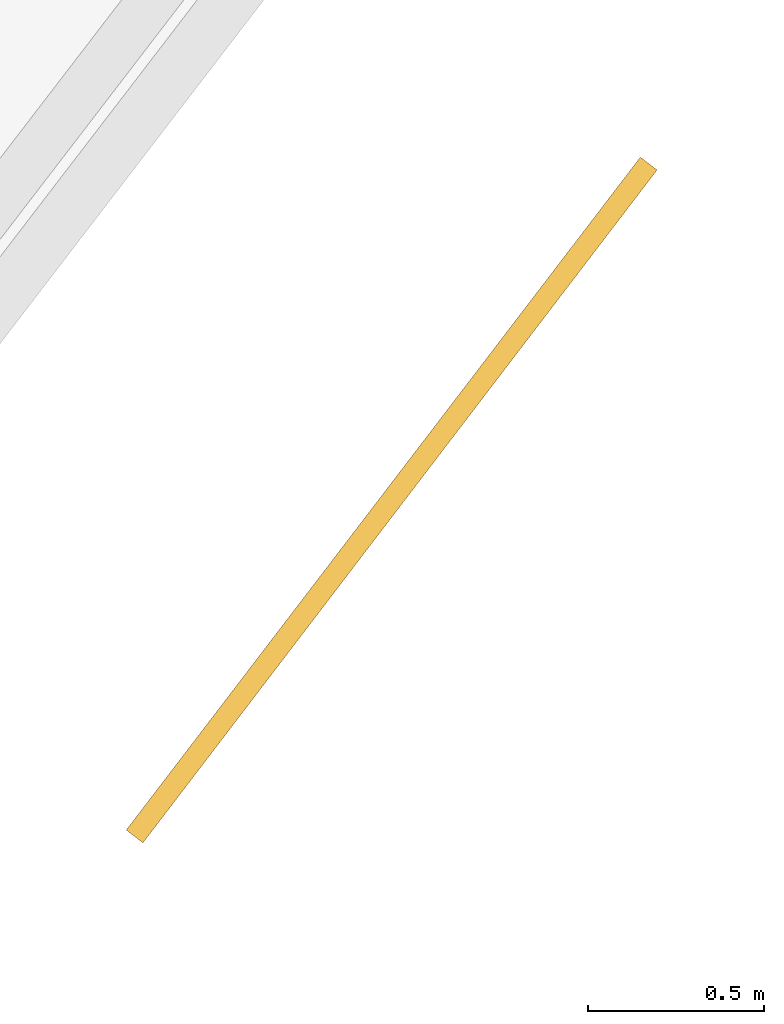
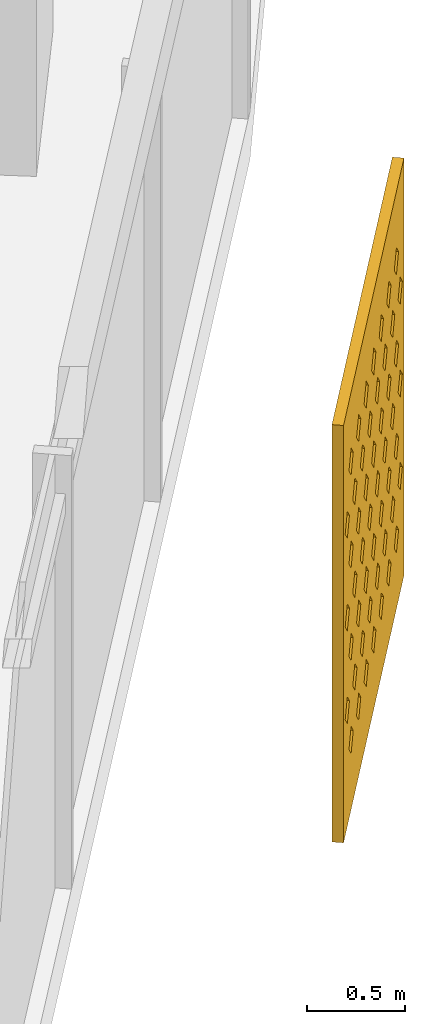
# One storey, part 29 of 29: 1 shading device.
"""IFC4 building model written with IfcOpenShell, lengths in metres."""

from ifc_helpers import new_model, si_unit, direction, frame, origin, place, context, subcontext, project, spatial, polyline, outline, extrude, material, material_profile, profile_set, type_object, element, save


model = new_model("IFC4")

# Units and contexts
model_context = context("Model", 3, precision=1e-05, world=origin(), true_north=direction((0.0, 1.0)))
body_context = subcontext(model_context, "Body", "Model", "MODEL_VIEW")
ifc_project = project(units=[si_unit("LENGTHUNIT", "METRE"), si_unit("AREAUNIT", "SQUARE_METRE"), si_unit("VOLUMEUNIT", "CUBIC_METRE"), si_unit("PLANEANGLEUNIT", "RADIAN"), si_unit("MASSUNIT", "GRAM", prefix="KILO")], contexts=[model_context])

# Site, building, storey
site_placement = place(None, origin())
site = spatial("IfcSite", under=ifc_project, at=site_placement, CompositionType="ELEMENT")
building_placement = place(site_placement, origin())
building = spatial("IfcBuilding", under=site, at=building_placement, Name="Qamariyya Broadcast Tower", CompositionType="ELEMENT")
storey_placement = place(building_placement, frame((0.0, 0.0, 44.300048828125)))
storey = spatial("IfcBuildingStorey", under=building, at=storey_placement, Name="L07", CompositionType="ELEMENT", Elevation=44.300048828125)

# Shading device
ifc_material = material(Name="Perforated glazed terracotta", Category="masonry")
ifc_material_profile = material_profile(ifc_material, outline(polyline([(-1.199951171875, -1.300048828125), (1.199951171875, -1.300048828125), (1.199951171875, 1.300048828125), (-1.199951171875, 1.300048828125), (-1.199951171875, -1.300048828125)]), holes=[polyline([(-0.81494140625, -0.86669921875), (-0.89990234375, -0.78173828125), (-0.985107421875, -0.86669921875), (-0.89990234375, -0.95166015625), (-0.81494140625, -0.86669921875)]), polyline([(-0.514892578125, -0.86669921875), (-0.60009765625, -0.78173828125), (-0.68505859375, -0.86669921875), (-0.60009765625, -0.95166015625), (-0.514892578125, -0.86669921875)]), polyline([(-0.215087890625, -0.86669921875), (-0.300048828125, -0.78173828125), (-0.385009765625, -0.86669921875), (-0.300048828125, -0.95166015625), (-0.215087890625, -0.86669921875)]), polyline([(0.0849609375, -0.86669921875), (0.0, -0.78173828125), (-0.0849609375, -0.86669921875), (0.0, -0.95166015625), (0.0849609375, -0.86669921875)]), polyline([(0.385009765625, -0.86669921875), (0.300048828125, -0.78173828125), (0.215087890625, -0.86669921875), (0.300048828125, -0.95166015625), (0.385009765625, -0.86669921875)]), polyline([(0.68505859375, -0.86669921875), (0.60009765625, -0.78173828125), (0.514892578125, -0.86669921875), (0.60009765625, -0.95166015625), (0.68505859375, -0.86669921875)]), polyline([(0.985107421875, -0.86669921875), (0.89990234375, -0.78173828125), (0.81494140625, -0.86669921875), (0.89990234375, -0.95166015625), (0.985107421875, -0.86669921875)]), polyline([(-0.965087890625, -0.577880859375), (-1.050048828125, -0.49267578125), (-1.135009765625, -0.577880859375), (-1.050048828125, -0.662841796875), (-0.965087890625, -0.577880859375)]), polyline([(-0.6650390625, -0.577880859375), (-0.75, -0.49267578125), (-0.8349609375, -0.577880859375), (-0.75, -0.662841796875), (-0.6650390625, -0.577880859375)]), polyline([(-0.364990234375, -0.577880859375), (-0.449951171875, -0.49267578125), (-0.534912109375, -0.577880859375), (-0.449951171875, -0.662841796875), (-0.364990234375, -0.577880859375)]), polyline([(-0.06494140625, -0.577880859375), (-0.14990234375, -0.49267578125), (-0.235107421875, -0.577880859375), (-0.14990234375, -0.662841796875), (-0.06494140625, -0.577880859375)]), polyline([(0.235107421875, -0.577880859375), (0.14990234375, -0.49267578125), (0.06494140625, -0.577880859375), (0.14990234375, -0.662841796875), (0.235107421875, -0.577880859375)]), polyline([(0.534912109375, -0.577880859375), (0.449951171875, -0.49267578125), (0.364990234375, -0.577880859375), (0.449951171875, -0.662841796875), (0.534912109375, -0.577880859375)]), polyline([(0.8349609375, -0.577880859375), (0.75, -0.49267578125), (0.6650390625, -0.577880859375), (0.75, -0.662841796875), (0.8349609375, -0.577880859375)]), polyline([(1.135009765625, -0.577880859375), (1.050048828125, -0.49267578125), (0.965087890625, -0.577880859375), (1.050048828125, -0.662841796875), (1.135009765625, -0.577880859375)]), polyline([(-0.81494140625, -0.288818359375), (-0.89990234375, -0.203857421875), (-0.985107421875, -0.288818359375), (-0.89990234375, -0.373779296875), (-0.81494140625, -0.288818359375)]), polyline([(-0.514892578125, -0.288818359375), (-0.60009765625, -0.203857421875), (-0.68505859375, -0.288818359375), (-0.60009765625, -0.373779296875), (-0.514892578125, -0.288818359375)]), polyline([(-0.215087890625, -0.288818359375), (-0.300048828125, -0.203857421875), (-0.385009765625, -0.288818359375), (-0.300048828125, -0.373779296875), (-0.215087890625, -0.288818359375)]), polyline([(0.0849609375, -0.288818359375), (0.0, -0.203857421875), (-0.0849609375, -0.288818359375), (0.0, -0.373779296875), (0.0849609375, -0.288818359375)]), polyline([(0.385009765625, -0.288818359375), (0.300048828125, -0.203857421875), (0.215087890625, -0.288818359375), (0.300048828125, -0.373779296875), (0.385009765625, -0.288818359375)]), polyline([(0.68505859375, -0.288818359375), (0.60009765625, -0.203857421875), (0.514892578125, -0.288818359375), (0.60009765625, -0.373779296875), (0.68505859375, -0.288818359375)]), polyline([(0.985107421875, -0.288818359375), (0.89990234375, -0.203857421875), (0.81494140625, -0.288818359375), (0.89990234375, -0.373779296875), (0.985107421875, -0.288818359375)]), polyline([(-0.965087890625, 0.0), (-1.050048828125, 0.0849609375), (-1.135009765625, 0.0), (-1.050048828125, -0.0849609375), (-0.965087890625, 0.0)]), polyline([(-0.6650390625, 0.0), (-0.75, 0.0849609375), (-0.8349609375, 0.0), (-0.75, -0.0849609375), (-0.6650390625, 0.0)]), polyline([(-0.364990234375, 0.0), (-0.449951171875, 0.0849609375), (-0.534912109375, 0.0), (-0.449951171875, -0.0849609375), (-0.364990234375, 0.0)]), polyline([(-0.06494140625, 0.0), (-0.14990234375, 0.0849609375), (-0.235107421875, 0.0), (-0.14990234375, -0.0849609375), (-0.06494140625, 0.0)]), polyline([(0.235107421875, 0.0), (0.14990234375, 0.0849609375), (0.06494140625, 0.0), (0.14990234375, -0.0849609375), (0.235107421875, 0.0)]), polyline([(0.534912109375, 0.0), (0.449951171875, 0.0849609375), (0.364990234375, 0.0), (0.449951171875, -0.0849609375), (0.534912109375, 0.0)]), polyline([(0.8349609375, 0.0), (0.75, 0.0849609375), (0.6650390625, 0.0), (0.75, -0.0849609375), (0.8349609375, 0.0)]), polyline([(1.135009765625, 0.0), (1.050048828125, 0.0849609375), (0.965087890625, 0.0), (1.050048828125, -0.0849609375), (1.135009765625, 0.0)]), polyline([(-0.81494140625, 0.288818359375), (-0.89990234375, 0.373779296875), (-0.985107421875, 0.288818359375), (-0.89990234375, 0.203857421875), (-0.81494140625, 0.288818359375)]), polyline([(-0.514892578125, 0.288818359375), (-0.60009765625, 0.373779296875), (-0.68505859375, 0.288818359375), (-0.60009765625, 0.203857421875), (-0.514892578125, 0.288818359375)]), polyline([(-0.215087890625, 0.288818359375), (-0.300048828125, 0.373779296875), (-0.385009765625, 0.288818359375), (-0.300048828125, 0.203857421875), (-0.215087890625, 0.288818359375)]), polyline([(0.0849609375, 0.288818359375), (0.0, 0.373779296875), (-0.0849609375, 0.288818359375), (0.0, 0.203857421875), (0.0849609375, 0.288818359375)]), polyline([(0.385009765625, 0.288818359375), (0.300048828125, 0.373779296875), (0.215087890625, 0.288818359375), (0.300048828125, 0.203857421875), (0.385009765625, 0.288818359375)]), polyline([(0.68505859375, 0.288818359375), (0.60009765625, 0.373779296875), (0.514892578125, 0.288818359375), (0.60009765625, 0.203857421875), (0.68505859375, 0.288818359375)]), polyline([(0.985107421875, 0.288818359375), (0.89990234375, 0.373779296875), (0.81494140625, 0.288818359375), (0.89990234375, 0.203857421875), (0.985107421875, 0.288818359375)]), polyline([(-0.965087890625, 0.577880859375), (-1.050048828125, 0.662841796875), (-1.135009765625, 0.577880859375), (-1.050048828125, 0.49267578125), (-0.965087890625, 0.577880859375)]), polyline([(-0.6650390625, 0.577880859375), (-0.75, 0.662841796875), (-0.8349609375, 0.577880859375), (-0.75, 0.49267578125), (-0.6650390625, 0.577880859375)]), polyline([(-0.364990234375, 0.577880859375), (-0.449951171875, 0.662841796875), (-0.534912109375, 0.577880859375), (-0.449951171875, 0.49267578125), (-0.364990234375, 0.577880859375)]), polyline([(-0.06494140625, 0.577880859375), (-0.14990234375, 0.662841796875), (-0.235107421875, 0.577880859375), (-0.14990234375, 0.49267578125), (-0.06494140625, 0.577880859375)]), polyline([(0.235107421875, 0.577880859375), (0.14990234375, 0.662841796875), (0.06494140625, 0.577880859375), (0.14990234375, 0.49267578125), (0.235107421875, 0.577880859375)]), polyline([(0.534912109375, 0.577880859375), (0.449951171875, 0.662841796875), (0.364990234375, 0.577880859375), (0.449951171875, 0.49267578125), (0.534912109375, 0.577880859375)]), polyline([(0.8349609375, 0.577880859375), (0.75, 0.662841796875), (0.6650390625, 0.577880859375), (0.75, 0.49267578125), (0.8349609375, 0.577880859375)]), polyline([(1.135009765625, 0.577880859375), (1.050048828125, 0.662841796875), (0.965087890625, 0.577880859375), (1.050048828125, 0.49267578125), (1.135009765625, 0.577880859375)]), polyline([(-0.81494140625, 0.86669921875), (-0.89990234375, 0.95166015625), (-0.985107421875, 0.86669921875), (-0.89990234375, 0.78173828125), (-0.81494140625, 0.86669921875)]), polyline([(-0.514892578125, 0.86669921875), (-0.60009765625, 0.95166015625), (-0.68505859375, 0.86669921875), (-0.60009765625, 0.78173828125), (-0.514892578125, 0.86669921875)]), polyline([(-0.215087890625, 0.86669921875), (-0.300048828125, 0.95166015625), (-0.385009765625, 0.86669921875), (-0.300048828125, 0.78173828125), (-0.215087890625, 0.86669921875)]), polyline([(0.0849609375, 0.86669921875), (0.0, 0.95166015625), (-0.0849609375, 0.86669921875), (0.0, 0.78173828125), (0.0849609375, 0.86669921875)]), polyline([(0.385009765625, 0.86669921875), (0.300048828125, 0.95166015625), (0.215087890625, 0.86669921875), (0.300048828125, 0.78173828125), (0.385009765625, 0.86669921875)]), polyline([(0.68505859375, 0.86669921875), (0.60009765625, 0.95166015625), (0.514892578125, 0.86669921875), (0.60009765625, 0.78173828125), (0.68505859375, 0.86669921875)]), polyline([(0.985107421875, 0.86669921875), (0.89990234375, 0.95166015625), (0.81494140625, 0.86669921875), (0.89990234375, 0.78173828125), (0.985107421875, 0.86669921875)])]))
ifc_profile_set = profile_set([ifc_material_profile], Name="Perforated glazed terracotta")
shading_device_type = type_object("IfcShadingDeviceType", Name="Perforated terracotta screen 2400 x 2600", PredefinedType="USERDEFINED", material=ifc_profile_set)
shading_device_placement = place(storey_placement, frame((64.031005859375, -49.19873046875, 1.349853515625), z_axis=(0.794589096806, -0.607147566278, 0.0), x_axis=(0.607147566278, 0.794589096806, 0.0)))
element("IfcShadingDevice", 1, at=shading_device_placement, inside=storey, type_object=shading_device_type, Name="e-scr-L07-15-1", ObjectType="SCREEN", PredefinedType="USERDEFINED", context=body_context, shape_type="SweptSolid", body=[
    extrude(outline(polyline([(-1.199951171875, -1.300048828125), (1.199951171875, -1.300048828125), (1.199951171875, 1.300048828125), (-1.199951171875, 1.300048828125), (-1.199951171875, -1.300048828125)]), holes=[polyline([(-0.81494140625, -0.86669921875), (-0.89990234375, -0.78173828125), (-0.985107421875, -0.86669921875), (-0.89990234375, -0.95166015625), (-0.81494140625, -0.86669921875)]), polyline([(-0.514892578125, -0.86669921875), (-0.60009765625, -0.78173828125), (-0.68505859375, -0.86669921875), (-0.60009765625, -0.95166015625), (-0.514892578125, -0.86669921875)]), polyline([(-0.215087890625, -0.86669921875), (-0.300048828125, -0.78173828125), (-0.385009765625, -0.86669921875), (-0.300048828125, -0.95166015625), (-0.215087890625, -0.86669921875)]), polyline([(0.0849609375, -0.86669921875), (0.0, -0.78173828125), (-0.0849609375, -0.86669921875), (0.0, -0.95166015625), (0.0849609375, -0.86669921875)]), polyline([(0.385009765625, -0.86669921875), (0.300048828125, -0.78173828125), (0.215087890625, -0.86669921875), (0.300048828125, -0.95166015625), (0.385009765625, -0.86669921875)]), polyline([(0.68505859375, -0.86669921875), (0.60009765625, -0.78173828125), (0.514892578125, -0.86669921875), (0.60009765625, -0.95166015625), (0.68505859375, -0.86669921875)]), polyline([(0.985107421875, -0.86669921875), (0.89990234375, -0.78173828125), (0.81494140625, -0.86669921875), (0.89990234375, -0.95166015625), (0.985107421875, -0.86669921875)]), polyline([(-0.965087890625, -0.577880859375), (-1.050048828125, -0.49267578125), (-1.135009765625, -0.577880859375), (-1.050048828125, -0.662841796875), (-0.965087890625, -0.577880859375)]), polyline([(-0.6650390625, -0.577880859375), (-0.75, -0.49267578125), (-0.8349609375, -0.577880859375), (-0.75, -0.662841796875), (-0.6650390625, -0.577880859375)]), polyline([(-0.364990234375, -0.577880859375), (-0.449951171875, -0.49267578125), (-0.534912109375, -0.577880859375), (-0.449951171875, -0.662841796875), (-0.364990234375, -0.577880859375)]), polyline([(-0.06494140625, -0.577880859375), (-0.14990234375, -0.49267578125), (-0.235107421875, -0.577880859375), (-0.14990234375, -0.662841796875), (-0.06494140625, -0.577880859375)]), polyline([(0.235107421875, -0.577880859375), (0.14990234375, -0.49267578125), (0.06494140625, -0.577880859375), (0.14990234375, -0.662841796875), (0.235107421875, -0.577880859375)]), polyline([(0.534912109375, -0.577880859375), (0.449951171875, -0.49267578125), (0.364990234375, -0.577880859375), (0.449951171875, -0.662841796875), (0.534912109375, -0.577880859375)]), polyline([(0.8349609375, -0.577880859375), (0.75, -0.49267578125), (0.6650390625, -0.577880859375), (0.75, -0.662841796875), (0.8349609375, -0.577880859375)]), polyline([(1.135009765625, -0.577880859375), (1.050048828125, -0.49267578125), (0.965087890625, -0.577880859375), (1.050048828125, -0.662841796875), (1.135009765625, -0.577880859375)]), polyline([(-0.81494140625, -0.288818359375), (-0.89990234375, -0.203857421875), (-0.985107421875, -0.288818359375), (-0.89990234375, -0.373779296875), (-0.81494140625, -0.288818359375)]), polyline([(-0.514892578125, -0.288818359375), (-0.60009765625, -0.203857421875), (-0.68505859375, -0.288818359375), (-0.60009765625, -0.373779296875), (-0.514892578125, -0.288818359375)]), polyline([(-0.215087890625, -0.288818359375), (-0.300048828125, -0.203857421875), (-0.385009765625, -0.288818359375), (-0.300048828125, -0.373779296875), (-0.215087890625, -0.288818359375)]), polyline([(0.0849609375, -0.288818359375), (0.0, -0.203857421875), (-0.0849609375, -0.288818359375), (0.0, -0.373779296875), (0.0849609375, -0.288818359375)]), polyline([(0.385009765625, -0.288818359375), (0.300048828125, -0.203857421875), (0.215087890625, -0.288818359375), (0.300048828125, -0.373779296875), (0.385009765625, -0.288818359375)]), polyline([(0.68505859375, -0.288818359375), (0.60009765625, -0.203857421875), (0.514892578125, -0.288818359375), (0.60009765625, -0.373779296875), (0.68505859375, -0.288818359375)]), polyline([(0.985107421875, -0.288818359375), (0.89990234375, -0.203857421875), (0.81494140625, -0.288818359375), (0.89990234375, -0.373779296875), (0.985107421875, -0.288818359375)]), polyline([(-0.965087890625, 0.0), (-1.050048828125, 0.0849609375), (-1.135009765625, 0.0), (-1.050048828125, -0.0849609375), (-0.965087890625, 0.0)]), polyline([(-0.6650390625, 0.0), (-0.75, 0.0849609375), (-0.8349609375, 0.0), (-0.75, -0.0849609375), (-0.6650390625, 0.0)]), polyline([(-0.364990234375, 0.0), (-0.449951171875, 0.0849609375), (-0.534912109375, 0.0), (-0.449951171875, -0.0849609375), (-0.364990234375, 0.0)]), polyline([(-0.06494140625, 0.0), (-0.14990234375, 0.0849609375), (-0.235107421875, 0.0), (-0.14990234375, -0.0849609375), (-0.06494140625, 0.0)]), polyline([(0.235107421875, 0.0), (0.14990234375, 0.0849609375), (0.06494140625, 0.0), (0.14990234375, -0.0849609375), (0.235107421875, 0.0)]), polyline([(0.534912109375, 0.0), (0.449951171875, 0.0849609375), (0.364990234375, 0.0), (0.449951171875, -0.0849609375), (0.534912109375, 0.0)]), polyline([(0.8349609375, 0.0), (0.75, 0.0849609375), (0.6650390625, 0.0), (0.75, -0.0849609375), (0.8349609375, 0.0)]), polyline([(1.135009765625, 0.0), (1.050048828125, 0.0849609375), (0.965087890625, 0.0), (1.050048828125, -0.0849609375), (1.135009765625, 0.0)]), polyline([(-0.81494140625, 0.288818359375), (-0.89990234375, 0.373779296875), (-0.985107421875, 0.288818359375), (-0.89990234375, 0.203857421875), (-0.81494140625, 0.288818359375)]), polyline([(-0.514892578125, 0.288818359375), (-0.60009765625, 0.373779296875), (-0.68505859375, 0.288818359375), (-0.60009765625, 0.203857421875), (-0.514892578125, 0.288818359375)]), polyline([(-0.215087890625, 0.288818359375), (-0.300048828125, 0.373779296875), (-0.385009765625, 0.288818359375), (-0.300048828125, 0.203857421875), (-0.215087890625, 0.288818359375)]), polyline([(0.0849609375, 0.288818359375), (0.0, 0.373779296875), (-0.0849609375, 0.288818359375), (0.0, 0.203857421875), (0.0849609375, 0.288818359375)]), polyline([(0.385009765625, 0.288818359375), (0.300048828125, 0.373779296875), (0.215087890625, 0.288818359375), (0.300048828125, 0.203857421875), (0.385009765625, 0.288818359375)]), polyline([(0.68505859375, 0.288818359375), (0.60009765625, 0.373779296875), (0.514892578125, 0.288818359375), (0.60009765625, 0.203857421875), (0.68505859375, 0.288818359375)]), polyline([(0.985107421875, 0.288818359375), (0.89990234375, 0.373779296875), (0.81494140625, 0.288818359375), (0.89990234375, 0.203857421875), (0.985107421875, 0.288818359375)]), polyline([(-0.965087890625, 0.577880859375), (-1.050048828125, 0.662841796875), (-1.135009765625, 0.577880859375), (-1.050048828125, 0.49267578125), (-0.965087890625, 0.577880859375)]), polyline([(-0.6650390625, 0.577880859375), (-0.75, 0.662841796875), (-0.8349609375, 0.577880859375), (-0.75, 0.49267578125), (-0.6650390625, 0.577880859375)]), polyline([(-0.364990234375, 0.577880859375), (-0.449951171875, 0.662841796875), (-0.534912109375, 0.577880859375), (-0.449951171875, 0.49267578125), (-0.364990234375, 0.577880859375)]), polyline([(-0.06494140625, 0.577880859375), (-0.14990234375, 0.662841796875), (-0.235107421875, 0.577880859375), (-0.14990234375, 0.49267578125), (-0.06494140625, 0.577880859375)]), polyline([(0.235107421875, 0.577880859375), (0.14990234375, 0.662841796875), (0.06494140625, 0.577880859375), (0.14990234375, 0.49267578125), (0.235107421875, 0.577880859375)]), polyline([(0.534912109375, 0.577880859375), (0.449951171875, 0.662841796875), (0.364990234375, 0.577880859375), (0.449951171875, 0.49267578125), (0.534912109375, 0.577880859375)]), polyline([(0.8349609375, 0.577880859375), (0.75, 0.662841796875), (0.6650390625, 0.577880859375), (0.75, 0.49267578125), (0.8349609375, 0.577880859375)]), polyline([(1.135009765625, 0.577880859375), (1.050048828125, 0.662841796875), (0.965087890625, 0.577880859375), (1.050048828125, 0.49267578125), (1.135009765625, 0.577880859375)]), polyline([(-0.81494140625, 0.86669921875), (-0.89990234375, 0.95166015625), (-0.985107421875, 0.86669921875), (-0.89990234375, 0.78173828125), (-0.81494140625, 0.86669921875)]), polyline([(-0.514892578125, 0.86669921875), (-0.60009765625, 0.95166015625), (-0.68505859375, 0.86669921875), (-0.60009765625, 0.78173828125), (-0.514892578125, 0.86669921875)]), polyline([(-0.215087890625, 0.86669921875), (-0.300048828125, 0.95166015625), (-0.385009765625, 0.86669921875), (-0.300048828125, 0.78173828125), (-0.215087890625, 0.86669921875)]), polyline([(0.0849609375, 0.86669921875), (0.0, 0.95166015625), (-0.0849609375, 0.86669921875), (0.0, 0.78173828125), (0.0849609375, 0.86669921875)]), polyline([(0.385009765625, 0.86669921875), (0.300048828125, 0.95166015625), (0.215087890625, 0.86669921875), (0.300048828125, 0.78173828125), (0.385009765625, 0.86669921875)]), polyline([(0.68505859375, 0.86669921875), (0.60009765625, 0.95166015625), (0.514892578125, 0.86669921875), (0.60009765625, 0.78173828125), (0.68505859375, 0.86669921875)]), polyline([(0.985107421875, 0.86669921875), (0.89990234375, 0.95166015625), (0.81494140625, 0.86669921875), (0.89990234375, 0.78173828125), (0.985107421875, 0.86669921875)])]), origin(), (0.0, 0.0, 1.0), 0.059814453125),
])

save(model, "model.ifc")
